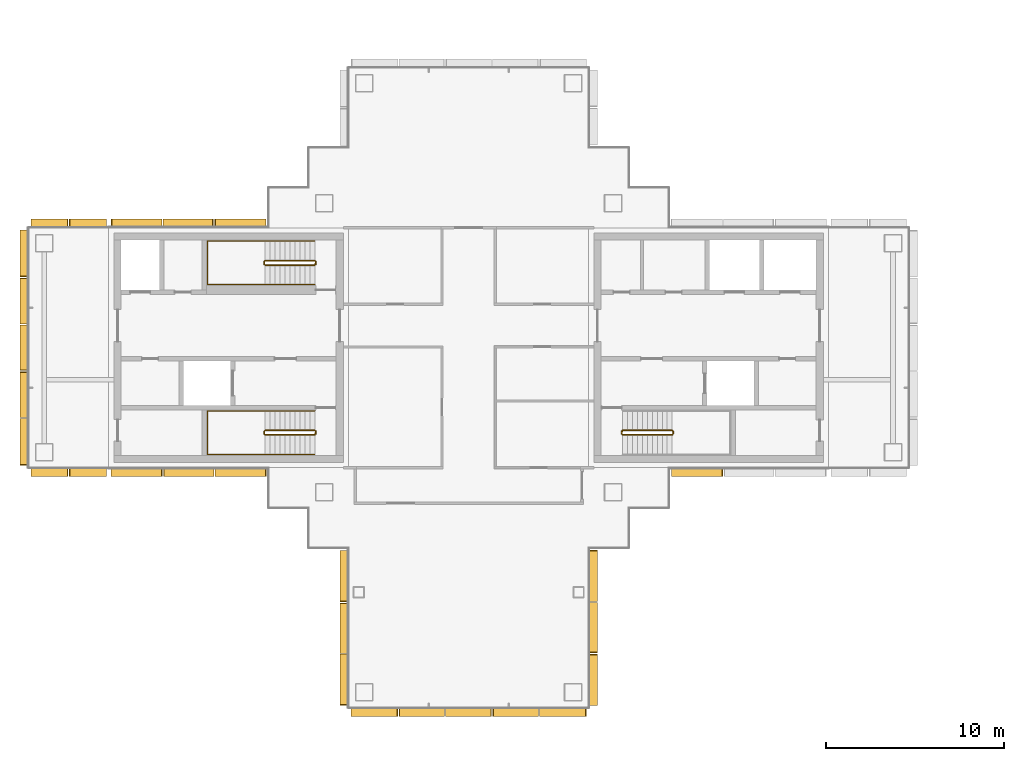
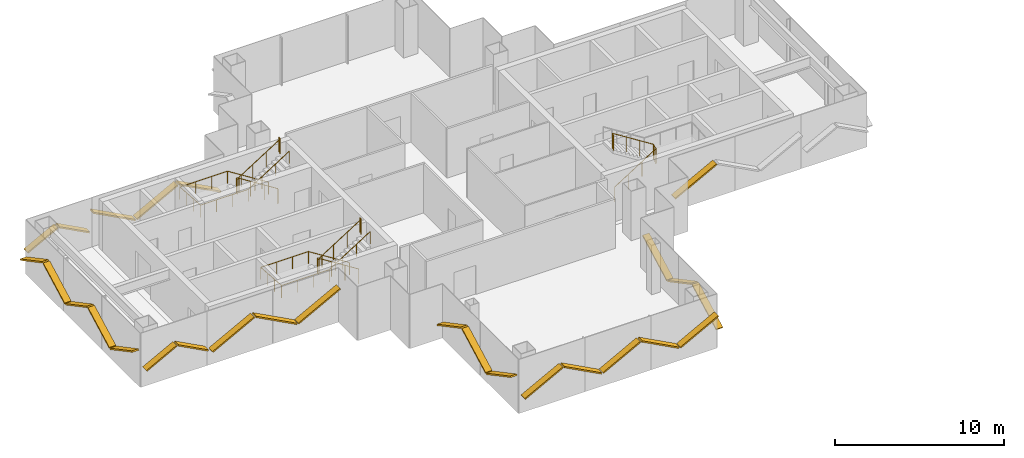
# One storey, part 14 of 17: 27 shading devices, 5 railings.
"""IFC4 building model written with IfcOpenShell, lengths in metres."""

from ifc_helpers import new_model, si_unit, direction, frame, origin, origin_2d, place, context, subcontext, project, spatial, rectangle, circle, extrude, material, material_profile, profile_set, type_object, element, save


model = new_model("IFC4")

# Units and contexts
model_context = context("Model", 3, precision=1e-05, world=origin(), true_north=direction((0.0, 1.0)))
body_context = subcontext(model_context, "Body", "Model", "MODEL_VIEW")
ifc_project = project(units=[si_unit("LENGTHUNIT", "METRE"), si_unit("AREAUNIT", "SQUARE_METRE"), si_unit("VOLUMEUNIT", "CUBIC_METRE"), si_unit("PLANEANGLEUNIT", "RADIAN"), si_unit("MASSUNIT", "GRAM", prefix="KILO")], contexts=[model_context])

# Site, building, storey
site_placement = place(None, origin())
site = spatial("IfcSite", under=ifc_project, at=site_placement, CompositionType="ELEMENT")
building_placement = place(site_placement, origin())
building = spatial("IfcBuilding", under=site, at=building_placement, Name="Shamsa Quay Exchange Towers", CompositionType="ELEMENT")
storey_placement = place(building_placement, frame((0.0, 0.0, 194.39990234375)))
storey = spatial("IfcBuildingStorey", under=building, at=storey_placement, Name="L46", CompositionType="ELEMENT", Elevation=194.39990234375)

# Shading devices
ifc_material_1 = material(Name="Aluminium EN AW-6063 T6, black anodised", Category="aluminium")
ifc_material_profile = material_profile(ifc_material_1, rectangle(XDim=0.449951171875, YDim=0.10009765625, at=origin_2d()), Name="FIN450x100")
ifc_profile_set = profile_set([ifc_material_profile], Name="Aluminium EN AW-6063 T6, black anodised")
shading_device_type = type_object("IfcShadingDeviceType", Name="FIN 450x100 BLACK ALUMINIUM", PredefinedType="USERDEFINED", material=ifc_profile_set)
shading_device_1_placement = place(storey_placement, frame((-40.764892578125, -11.43798828125, 0.845703125), z_axis=(0.0, -0.882932697482, 0.469499575843), x_axis=(1.0, 0.0, 0.0)))
element("IfcShadingDevice", 1, at=shading_device_1_placement, inside=storey, type_object=shading_device_type, Name="FIN T1 chevron rib", ObjectType="FIN", PredefinedType="USERDEFINED", context=body_context, shape_type="SweptSolid", body=[
    extrude(rectangle(XDim=0.449951171875, YDim=0.10009765625, at=origin_2d()), origin(), (0.0, 0.0, 1.0), 3.213623046875),
])
shading_device_2_placement = place(storey_placement, frame((-40.764892578125, -14.375244140625, 2.341064453125), z_axis=(0.0, -0.882964473393, -0.469439813742), x_axis=(1.0, 0.0, 0.0)))
element("IfcShadingDevice", 2, at=shading_device_2_placement, inside=storey, type_object=shading_device_type, Name="FIN T1 chevron rib", ObjectType="FIN", PredefinedType="USERDEFINED", context=body_context, shape_type="SweptSolid", body=[
    extrude(rectangle(XDim=0.449951171875, YDim=0.10009765625, at=origin_2d()), origin(), (0.0, 0.0, 1.0), 3.15673828125),
])
shading_device_3_placement = place(storey_placement, frame((-40.764892578125, -17.2626953125, 0.845703125), z_axis=(0.0, -0.882932697482, 0.469499575843), x_axis=(1.0, 0.0, 0.0)))
element("IfcShadingDevice", 3, at=shading_device_3_placement, inside=storey, type_object=shading_device_type, Name="FIN T1 chevron rib", ObjectType="FIN", PredefinedType="USERDEFINED", context=body_context, shape_type="SweptSolid", body=[
    extrude(rectangle(XDim=0.449951171875, YDim=0.10009765625, at=origin_2d()), origin(), (0.0, 0.0, 1.0), 3.213623046875),
])
shading_device_4_placement = place(storey_placement, frame((-40.35009765625, -20.514892578125, 0.91162109375), z_axis=(0.882978825911, 0.0, 0.469412817244), x_axis=(0.0, 1.0, 0.0)))
element("IfcShadingDevice", 4, at=shading_device_4_placement, inside=storey, type_object=shading_device_type, Name="FIN T1 chevron rib", ObjectType="FIN", PredefinedType="USERDEFINED", context=body_context, shape_type="SweptSolid", body=[
    extrude(rectangle(XDim=0.449951171875, YDim=0.10009765625, at=origin_2d()), origin(), (0.0, 0.0, 1.0), 2.933349609375),
])
shading_device_5_placement = place(storey_placement, frame((-37.659912109375, -20.514892578125, 2.275390625), z_axis=(0.882925540975, 0.0, -0.469513033997), x_axis=(0.0, 1.0, 0.0)))
element("IfcShadingDevice", 5, at=shading_device_5_placement, inside=storey, type_object=shading_device_type, Name="FIN T1 chevron rib", ObjectType="FIN", PredefinedType="USERDEFINED", context=body_context, shape_type="SweptSolid", body=[
    extrude(rectangle(XDim=0.449951171875, YDim=0.10009765625, at=origin_2d()), origin(), (0.0, 0.0, 1.0), 2.87646484375),
])
shading_device_6_placement = place(storey_placement, frame((-35.02001953125, -20.514892578125, 0.9248046875), z_axis=(0.882944248312, 0.0, 0.469477852909), x_axis=(0.0, 1.0, 0.0)))
element("IfcShadingDevice", 6, at=shading_device_6_placement, inside=storey, type_object=shading_device_type, Name="FIN T1 chevron rib", ObjectType="FIN", PredefinedType="USERDEFINED", context=body_context, shape_type="SweptSolid", body=[
    extrude(rectangle(XDim=0.449951171875, YDim=0.10009765625, at=origin_2d()), origin(), (0.0, 0.0, 1.0), 2.876708984375),
])
shading_device_7_placement = place(storey_placement, frame((-32.3798828125, -20.514892578125, 2.275390625), z_axis=(0.882925540975, 0.0, -0.469513033997), x_axis=(0.0, 1.0, 0.0)))
element("IfcShadingDevice", 7, at=shading_device_7_placement, inside=storey, type_object=shading_device_type, Name="FIN T1 chevron rib", ObjectType="FIN", PredefinedType="USERDEFINED", context=body_context, shape_type="SweptSolid", body=[
    extrude(rectangle(XDim=0.449951171875, YDim=0.10009765625, at=origin_2d()), origin(), (0.0, 0.0, 1.0), 2.87646484375),
])
shading_device_8_placement = place(storey_placement, frame((-29.739990234375, -20.514892578125, 0.91162109375), z_axis=(0.882978825911, 0.0, 0.469412817244), x_axis=(0.0, 1.0, 0.0)))
element("IfcShadingDevice", 8, at=shading_device_8_placement, inside=storey, type_object=shading_device_type, Name="FIN T1 chevron rib", ObjectType="FIN", PredefinedType="USERDEFINED", context=body_context, shape_type="SweptSolid", body=[
    extrude(rectangle(XDim=0.449951171875, YDim=0.10009765625, at=origin_2d()), origin(), (0.0, 0.0, 1.0), 2.933349609375),
])
shading_device_9_placement = place(storey_placement, frame((-26.735107421875, -20.10009765625, 0.842529296875), z_axis=(0.0, 0.882984458164, 0.469402222663), x_axis=(-1.0, 0.0, 0.0)))
element("IfcShadingDevice", 9, at=shading_device_9_placement, inside=storey, type_object=shading_device_type, Name="FIN T1 chevron rib", ObjectType="FIN", PredefinedType="USERDEFINED", context=body_context, shape_type="SweptSolid", body=[
    extrude(rectangle(XDim=0.449951171875, YDim=0.10009765625, at=origin_2d()), origin(), (0.0, 0.0, 1.0), 3.227783203125),
])
shading_device_10_placement = place(storey_placement, frame((-26.735107421875, -17.14990234375, 2.344482421875), z_axis=(0.0, 0.882936223509, -0.469492944799), x_axis=(-1.0, 0.0, 0.0)))
element("IfcShadingDevice", 10, at=shading_device_10_placement, inside=storey, type_object=shading_device_type, Name="FIN T1 chevron rib", ObjectType="FIN", PredefinedType="USERDEFINED", context=body_context, shape_type="SweptSolid", body=[
    extrude(rectangle(XDim=0.449951171875, YDim=0.10009765625, at=origin_2d()), origin(), (0.0, 0.0, 1.0), 3.1708984375),
])
shading_device_11_placement = place(storey_placement, frame((-26.735107421875, -14.25, 0.842529296875), z_axis=(0.0, 0.882984458164, 0.469402222663), x_axis=(-1.0, 0.0, 0.0)))
element("IfcShadingDevice", 11, at=shading_device_11_placement, inside=storey, type_object=shading_device_type, Name="FIN T1 chevron rib", ObjectType="FIN", PredefinedType="USERDEFINED", context=body_context, shape_type="SweptSolid", body=[
    extrude(rectangle(XDim=0.449951171875, YDim=0.10009765625, at=origin_2d()), origin(), (0.0, 0.0, 1.0), 3.227783203125),
])
for number, where, z_axis, x_axis, name in (
    (12, (-22.31201171875, -7.01904296875, 0.845703125), (0.882932697482, 0.0, 0.469499575843), (0.0, 1.0, 0.0), "FIN T1 chevron rib"),
    (13, (-45.18798828125, 7.01904296875, 0.845703125), (-0.882932697482, 0.0, 0.469499575843), (0.0, -1.0, 0.0), "FIN T1 chevron rib"),
):
    element("IfcShadingDevice", number, at=place(storey_placement, frame(where, z_axis=z_axis, x_axis=x_axis)), inside=storey, type_object=shading_device_type, Name=name, ObjectType="FIN", PredefinedType="USERDEFINED", context=body_context, shape_type="SweptSolid", body=[
        extrude(rectangle(XDim=0.449951171875, YDim=0.10009765625, at=origin_2d()), origin(), (0.0, 0.0, 1.0), 3.213623046875),
    ])
shading_device_12_placement = place(storey_placement, frame((-48.125244140625, 7.01904296875, 2.341064453125), z_axis=(-0.882964473393, 0.0, -0.469439813742), x_axis=(0.0, -1.0, 0.0)))
element("IfcShadingDevice", 14, at=shading_device_12_placement, inside=storey, type_object=shading_device_type, Name="FIN T1 chevron rib", ObjectType="FIN", PredefinedType="USERDEFINED", context=body_context, shape_type="SweptSolid", body=[
    extrude(rectangle(XDim=0.449951171875, YDim=0.10009765625, at=origin_2d()), origin(), (0.0, 0.0, 1.0), 3.15673828125),
])
shading_device_13_placement = place(storey_placement, frame((-51.0126953125, 7.01904296875, 0.845703125), z_axis=(-0.882932697482, 0.0, 0.469499575843), x_axis=(0.0, -1.0, 0.0)))
element("IfcShadingDevice", 15, at=shading_device_13_placement, inside=storey, type_object=shading_device_type, Name="FIN T1 chevron rib", ObjectType="FIN", PredefinedType="USERDEFINED", context=body_context, shape_type="SweptSolid", body=[
    extrude(rectangle(XDim=0.449951171875, YDim=0.10009765625, at=origin_2d()), origin(), (0.0, 0.0, 1.0), 3.213623046875),
])
for number, where, z_axis, x_axis, name in (
    (16, (-54.14990234375, 7.014892578125, 1.05517578125), (-0.882980896466, 0.0, 0.469408922451), (0.0, -1.0, 0.0), "FIN T1 chevron rib"),
    (17, (-56.300048828125, 7.014892578125, 2.14501953125), (-0.882980896466, 0.0, -0.469408922451), (0.0, -1.0, 0.0), "FIN T1 chevron rib"),
):
    element("IfcShadingDevice", number, at=place(storey_placement, frame(where, z_axis=z_axis, x_axis=x_axis)), inside=storey, type_object=shading_device_type, Name=name, ObjectType="FIN", PredefinedType="USERDEFINED", context=body_context, shape_type="SweptSolid", body=[
        extrude(rectangle(XDim=0.449951171875, YDim=0.10009765625, at=origin_2d()), origin(), (0.0, 0.0, 1.0), 2.32177734375),
    ])
shading_device_14_placement = place(storey_placement, frame((-58.764892578125, 6.60009765625, 0.91162109375), z_axis=(0.0, -0.882978825911, 0.469412817244), x_axis=(1.0, 0.0, 0.0)))
element("IfcShadingDevice", 18, at=shading_device_14_placement, inside=storey, type_object=shading_device_type, Name="FIN T1 chevron rib", ObjectType="FIN", PredefinedType="USERDEFINED", context=body_context, shape_type="SweptSolid", body=[
    extrude(rectangle(XDim=0.449951171875, YDim=0.10009765625, at=origin_2d()), origin(), (0.0, 0.0, 1.0), 2.933349609375),
])
shading_device_15_placement = place(storey_placement, frame((-58.764892578125, 3.909912109375, 2.275390625), z_axis=(0.0, -0.882925540975, -0.469513033997), x_axis=(1.0, 0.0, 0.0)))
element("IfcShadingDevice", 19, at=shading_device_15_placement, inside=storey, type_object=shading_device_type, Name="FIN T1 chevron rib", ObjectType="FIN", PredefinedType="USERDEFINED", context=body_context, shape_type="SweptSolid", body=[
    extrude(rectangle(XDim=0.449951171875, YDim=0.10009765625, at=origin_2d()), origin(), (0.0, 0.0, 1.0), 2.87646484375),
])
shading_device_16_placement = place(storey_placement, frame((-58.764892578125, 1.27001953125, 0.9248046875), z_axis=(0.0, -0.882944248312, 0.469477852909), x_axis=(1.0, 0.0, 0.0)))
element("IfcShadingDevice", 20, at=shading_device_16_placement, inside=storey, type_object=shading_device_type, Name="FIN T1 chevron rib", ObjectType="FIN", PredefinedType="USERDEFINED", context=body_context, shape_type="SweptSolid", body=[
    extrude(rectangle(XDim=0.449951171875, YDim=0.10009765625, at=origin_2d()), origin(), (0.0, 0.0, 1.0), 2.876708984375),
])
shading_device_17_placement = place(storey_placement, frame((-58.764892578125, -1.3701171875, 2.275390625), z_axis=(0.0, -0.882925540975, -0.469513033997), x_axis=(1.0, 0.0, 0.0)))
element("IfcShadingDevice", 21, at=shading_device_17_placement, inside=storey, type_object=shading_device_type, Name="FIN T1 chevron rib", ObjectType="FIN", PredefinedType="USERDEFINED", context=body_context, shape_type="SweptSolid", body=[
    extrude(rectangle(XDim=0.449951171875, YDim=0.10009765625, at=origin_2d()), origin(), (0.0, 0.0, 1.0), 2.87646484375),
])
shading_device_18_placement = place(storey_placement, frame((-58.764892578125, -4.010009765625, 0.91162109375), z_axis=(0.0, -0.882978825911, 0.469412817244), x_axis=(1.0, 0.0, 0.0)))
element("IfcShadingDevice", 22, at=shading_device_18_placement, inside=storey, type_object=shading_device_type, Name="FIN T1 chevron rib", ObjectType="FIN", PredefinedType="USERDEFINED", context=body_context, shape_type="SweptSolid", body=[
    extrude(rectangle(XDim=0.449951171875, YDim=0.10009765625, at=origin_2d()), origin(), (0.0, 0.0, 1.0), 2.933349609375),
])
for number, where, z_axis, x_axis, name in (
    (23, (-58.35009765625, -7.014892578125, 1.05517578125), (0.882980896466, 0.0, 0.469408922451), (0.0, 1.0, 0.0), "FIN T1 chevron rib"),
    (24, (-56.199951171875, -7.014892578125, 2.14501953125), (0.882980896466, 0.0, -0.469408922451), (0.0, 1.0, 0.0), "FIN T1 chevron rib"),
):
    element("IfcShadingDevice", number, at=place(storey_placement, frame(where, z_axis=z_axis, x_axis=x_axis)), inside=storey, type_object=shading_device_type, Name=name, ObjectType="FIN", PredefinedType="USERDEFINED", context=body_context, shape_type="SweptSolid", body=[
        extrude(rectangle(XDim=0.449951171875, YDim=0.10009765625, at=origin_2d()), origin(), (0.0, 0.0, 1.0), 2.32177734375),
    ])
shading_device_19_placement = place(storey_placement, frame((-53.85009765625, -7.01904296875, 0.842529296875), z_axis=(0.882984458164, 0.0, 0.469402222663), x_axis=(0.0, 1.0, 0.0)))
element("IfcShadingDevice", 25, at=shading_device_19_placement, inside=storey, type_object=shading_device_type, Name="FIN T1 chevron rib", ObjectType="FIN", PredefinedType="USERDEFINED", context=body_context, shape_type="SweptSolid", body=[
    extrude(rectangle(XDim=0.449951171875, YDim=0.10009765625, at=origin_2d()), origin(), (0.0, 0.0, 1.0), 3.227783203125),
])
shading_device_20_placement = place(storey_placement, frame((-50.89990234375, -7.01904296875, 2.344482421875), z_axis=(0.882936223509, 0.0, -0.469492944799), x_axis=(0.0, 1.0, 0.0)))
element("IfcShadingDevice", 26, at=shading_device_20_placement, inside=storey, type_object=shading_device_type, Name="FIN T1 chevron rib", ObjectType="FIN", PredefinedType="USERDEFINED", context=body_context, shape_type="SweptSolid", body=[
    extrude(rectangle(XDim=0.449951171875, YDim=0.10009765625, at=origin_2d()), origin(), (0.0, 0.0, 1.0), 3.1708984375),
])
shading_device_21_placement = place(storey_placement, frame((-48.0, -7.01904296875, 0.842529296875), z_axis=(0.882984458164, 0.0, 0.469402222663), x_axis=(0.0, 1.0, 0.0)))
element("IfcShadingDevice", 27, at=shading_device_21_placement, inside=storey, type_object=shading_device_type, Name="FIN T1 chevron rib", ObjectType="FIN", PredefinedType="USERDEFINED", context=body_context, shape_type="SweptSolid", body=[
    extrude(rectangle(XDim=0.449951171875, YDim=0.10009765625, at=origin_2d()), origin(), (0.0, 0.0, 1.0), 3.227783203125),
])

# Railings
ifc_material_2 = material(Name="Stainless steel", Category="steel")
railing_type_1 = type_object("IfcRailingType", Name="STAIR GUARD 1100", PredefinedType="GUARDRAIL", material=ifc_material_2)
railing_1_placement = place(storey_placement, frame((-25.10009765625, -4.89990234375, 0.177490234375)))
element("IfcRailing", 28, at=railing_1_placement, inside=storey, type_object=railing_type_1, Name="L46 ST1 stair guard 1", PredefinedType="GUARDRAIL", context=body_context, shape_type="SweptSolid", body=[
    extrude(circle(Radius=0.02392578125, at=origin_2d()), frame((0.0, 0.0, 1.076171875), z_axis=(0.844908973607, 0.0, 0.534910110503), x_axis=(0.0, 1.0, 0.0)), (0.0, 0.0, 1.0), 3.31396484375),
    extrude(circle(Radius=0.02392578125, at=origin_2d()), frame((2.800048828125, 0.0, 2.8486328125), z_axis=(0.708833529934, 0.705375805398, 0.0), x_axis=(-0.705375805398, 0.708833529934, 0.0)), (0.0, 0.0, 1.0), 0.070556640625),
    extrude(circle(Radius=0.02392578125, at=origin_2d()), frame((2.85009765625, 0.0498046875, 2.8486328125), z_axis=(0.0, 1.0, 0.0), x_axis=(-1.0, 0.0, 0.0)), (0.0, 0.0, 1.0), 0.150146484375),
    extrude(circle(Radius=0.02392578125, at=origin_2d()), frame((2.85009765625, 0.199951171875, 2.8486328125), z_axis=(-0.262233686654, 0.262233686654, 0.928691007369), x_axis=(-0.707106781187, -0.707106781187, 0.0)), (0.0, 0.0, 1.0), 0.19091796875),
    extrude(circle(Radius=0.02392578125, at=origin_2d()), frame((2.800048828125, 0.25, 3.02587890625), z_axis=(-0.844908973607, 0.0, 0.534910110503), x_axis=(0.0, -1.0, 0.0)), (0.0, 0.0, 1.0), 3.31396484375),
    extrude(circle(Radius=0.02392578125, at=origin_2d()), frame((0.0, 0.25, 4.798828125), z_axis=(-0.24142163986, -0.970420317083, 0.0), x_axis=(0.970420317083, -0.24142163986, 0.0)), (0.0, 0.0, 1.0), 0.206298828125),
    extrude(circle(Radius=0.02392578125, at=origin_2d()), frame((-0.0498046875, 0.0498046875, 4.798828125), z_axis=(0.0, 1.0, 0.0), x_axis=(-1.0, 0.0, 0.0)), (0.0, 0.0, 1.0), 0.150146484375),
    extrude(circle(Radius=0.02099609375, at=origin_2d()), origin(), (0.0, 0.0, 1.0), 1.052001953125),
    extrude(circle(Radius=0.02099609375, at=origin_2d()), frame((0.933349609375, 0.0, 0.5908203125)), (0.0, 0.0, 1.0), 1.052001953125),
    extrude(circle(Radius=0.02099609375, at=origin_2d()), frame((1.86669921875, 0.0, 1.181884765625)), (0.0, 0.0, 1.0), 1.052001953125),
    extrude(circle(Radius=0.02099609375, at=origin_2d()), frame((2.800048828125, 0.0, 1.772705078125)), (0.0, 0.0, 1.0), 1.052001953125),
    extrude(circle(Radius=0.02099609375, at=origin_2d()), frame((2.85009765625, 0.0498046875, 1.772705078125)), (0.0, 0.0, 1.0), 1.052001953125),
    extrude(circle(Radius=0.02099609375, at=origin_2d()), frame((2.85009765625, 0.199951171875, 1.772705078125)), (0.0, 0.0, 1.0), 1.052001953125),
    extrude(circle(Radius=0.02099609375, at=origin_2d()), frame((2.800048828125, 0.25, 1.949951171875)), (0.0, 0.0, 1.0), 1.052001953125),
    extrude(circle(Radius=0.02099609375, at=origin_2d()), frame((1.86669921875, 0.25, 2.540771484375)), (0.0, 0.0, 1.0), 1.052001953125),
    extrude(circle(Radius=0.02099609375, at=origin_2d()), frame((0.933349609375, 0.25, 3.1318359375)), (0.0, 0.0, 1.0), 1.052001953125),
    extrude(circle(Radius=0.02099609375, at=origin_2d()), frame((0.0, 0.25, 3.72265625)), (0.0, 0.0, 1.0), 1.052001953125),
    extrude(circle(Radius=0.02099609375, at=origin_2d()), frame((-0.0498046875, 0.0498046875, 3.72265625)), (0.0, 0.0, 1.0), 1.052001953125),
    extrude(circle(Radius=0.02099609375, at=origin_2d()), frame((-0.0498046875, 0.199951171875, 3.72265625)), (0.0, 0.0, 1.0), 1.052001953125),
])
railing_2_placement = place(storey_placement, frame((-42.39990234375, -4.64990234375, 0.177490234375)))
element("IfcRailing", 29, at=railing_2_placement, inside=storey, type_object=railing_type_1, Name="L46 ST2 stair guard 1", PredefinedType="GUARDRAIL", context=body_context, shape_type="SweptSolid", body=[
    extrude(circle(Radius=0.02392578125, at=origin_2d()), frame((0.0, 0.0, 1.076171875), z_axis=(-0.844908973607, 0.0, 0.534910110503), x_axis=(0.0, -1.0, 0.0)), (0.0, 0.0, 1.0), 3.31396484375),
    extrude(circle(Radius=0.02392578125, at=origin_2d()), frame((-2.800048828125, 0.0, 2.8486328125), z_axis=(-0.707106781187, -0.707106781187, 0.0), x_axis=(0.707106781187, -0.707106781187, 0.0)), (0.0, 0.0, 1.0), 0.07080078125),
    extrude(circle(Radius=0.02392578125, at=origin_2d()), frame((-2.85009765625, -0.050048828125, 2.8486328125), z_axis=(0.0, -1.0, 0.0), x_axis=(1.0, 0.0, 0.0)), (0.0, 0.0, 1.0), 0.150146484375),
    extrude(circle(Radius=0.02392578125, at=origin_2d()), frame((-2.85009765625, -0.2001953125, 2.8486328125), z_axis=(0.262321481514, -0.261041864531, 0.929001929653), x_axis=(0.705375805398, 0.708833529934, 0.0)), (0.0, 0.0, 1.0), 0.190673828125),
    extrude(circle(Radius=0.02392578125, at=origin_2d()), frame((-2.800048828125, -0.25, 3.02587890625), z_axis=(0.844908973607, 0.0, 0.534910110503), x_axis=(0.0, 1.0, 0.0)), (0.0, 0.0, 1.0), 3.31396484375),
    extrude(circle(Radius=0.02392578125, at=origin_2d()), frame((0.0, -0.25, 4.798828125), z_axis=(0.241699205484, 0.970351222016, 0.0), x_axis=(-0.970351222016, 0.241699205484, 0.0)), (0.0, 0.0, 1.0), 0.2060546875),
    extrude(circle(Radius=0.02392578125, at=origin_2d()), frame((0.0498046875, -0.050048828125, 4.798828125), z_axis=(0.0, -1.0, 0.0), x_axis=(1.0, 0.0, 0.0)), (0.0, 0.0, 1.0), 0.150146484375),
    extrude(circle(Radius=0.02099609375, at=origin_2d()), origin(), (0.0, 0.0, 1.0), 1.052001953125),
    extrude(circle(Radius=0.02099609375, at=origin_2d()), frame((-0.933349609375, 0.0, 0.5908203125)), (0.0, 0.0, 1.0), 1.052001953125),
    extrude(circle(Radius=0.02099609375, at=origin_2d()), frame((-1.86669921875, 0.0, 1.181884765625)), (0.0, 0.0, 1.0), 1.052001953125),
    extrude(circle(Radius=0.02099609375, at=origin_2d()), frame((-2.800048828125, 0.0, 1.772705078125)), (0.0, 0.0, 1.0), 1.052001953125),
    extrude(circle(Radius=0.02099609375, at=origin_2d()), frame((-2.85009765625, -0.050048828125, 1.772705078125)), (0.0, 0.0, 1.0), 1.052001953125),
    extrude(circle(Radius=0.02099609375, at=origin_2d()), frame((-2.85009765625, -0.2001953125, 1.772705078125)), (0.0, 0.0, 1.0), 1.052001953125),
    extrude(circle(Radius=0.02099609375, at=origin_2d()), frame((-2.800048828125, -0.25, 1.949951171875)), (0.0, 0.0, 1.0), 1.052001953125),
    extrude(circle(Radius=0.02099609375, at=origin_2d()), frame((-1.86669921875, -0.25, 2.540771484375)), (0.0, 0.0, 1.0), 1.052001953125),
    extrude(circle(Radius=0.02099609375, at=origin_2d()), frame((-0.933349609375, -0.25, 3.1318359375)), (0.0, 0.0, 1.0), 1.052001953125),
    extrude(circle(Radius=0.02099609375, at=origin_2d()), frame((0.0, -0.25, 3.72265625)), (0.0, 0.0, 1.0), 1.052001953125),
    extrude(circle(Radius=0.02099609375, at=origin_2d()), frame((0.0498046875, -0.050048828125, 3.72265625)), (0.0, 0.0, 1.0), 1.052001953125),
    extrude(circle(Radius=0.02099609375, at=origin_2d()), frame((0.0498046875, -0.2001953125, 3.72265625)), (0.0, 0.0, 1.0), 1.052001953125),
])
railing_3_placement = place(storey_placement, frame((-42.39990234375, 4.89990234375, 0.177490234375)))
element("IfcRailing", 30, at=railing_3_placement, inside=storey, type_object=railing_type_1, Name="L46 ST3 stair guard 1", PredefinedType="GUARDRAIL", context=body_context, shape_type="SweptSolid", body=[
    extrude(circle(Radius=0.02392578125, at=origin_2d()), frame((0.0, 0.0, 1.076171875), z_axis=(-0.844908973607, 0.0, 0.534910110503), x_axis=(0.0, -1.0, 0.0)), (0.0, 0.0, 1.0), 3.31396484375),
    extrude(circle(Radius=0.02392578125, at=origin_2d()), frame((-2.800048828125, 0.0, 2.8486328125), z_axis=(-0.708833529934, -0.705375805398, 0.0), x_axis=(0.705375805398, -0.708833529934, 0.0)), (0.0, 0.0, 1.0), 0.070556640625),
    extrude(circle(Radius=0.02392578125, at=origin_2d()), frame((-2.85009765625, -0.0498046875, 2.8486328125), z_axis=(0.0, -1.0, 0.0), x_axis=(1.0, 0.0, 0.0)), (0.0, 0.0, 1.0), 0.150146484375),
    extrude(circle(Radius=0.02392578125, at=origin_2d()), frame((-2.85009765625, -0.199951171875, 2.8486328125), z_axis=(0.262233686654, -0.262233686654, 0.928691007369), x_axis=(0.707106781187, 0.707106781187, 0.0)), (0.0, 0.0, 1.0), 0.19091796875),
    extrude(circle(Radius=0.02392578125, at=origin_2d()), frame((-2.800048828125, -0.25, 3.02587890625), z_axis=(0.844908973607, 0.0, 0.534910110503), x_axis=(0.0, 1.0, 0.0)), (0.0, 0.0, 1.0), 3.31396484375),
    extrude(circle(Radius=0.02392578125, at=origin_2d()), frame((0.0, -0.25, 4.798828125), z_axis=(0.24142163986, 0.970420317083, 0.0), x_axis=(-0.970420317083, 0.24142163986, 0.0)), (0.0, 0.0, 1.0), 0.206298828125),
    extrude(circle(Radius=0.02392578125, at=origin_2d()), frame((0.0498046875, -0.0498046875, 4.798828125), z_axis=(0.0, -1.0, 0.0), x_axis=(1.0, 0.0, 0.0)), (0.0, 0.0, 1.0), 0.150146484375),
    extrude(circle(Radius=0.02099609375, at=origin_2d()), origin(), (0.0, 0.0, 1.0), 1.052001953125),
    extrude(circle(Radius=0.02099609375, at=origin_2d()), frame((-0.933349609375, 0.0, 0.5908203125)), (0.0, 0.0, 1.0), 1.052001953125),
    extrude(circle(Radius=0.02099609375, at=origin_2d()), frame((-1.86669921875, 0.0, 1.181884765625)), (0.0, 0.0, 1.0), 1.052001953125),
    extrude(circle(Radius=0.02099609375, at=origin_2d()), frame((-2.800048828125, 0.0, 1.772705078125)), (0.0, 0.0, 1.0), 1.052001953125),
    extrude(circle(Radius=0.02099609375, at=origin_2d()), frame((-2.85009765625, -0.0498046875, 1.772705078125)), (0.0, 0.0, 1.0), 1.052001953125),
    extrude(circle(Radius=0.02099609375, at=origin_2d()), frame((-2.85009765625, -0.199951171875, 1.772705078125)), (0.0, 0.0, 1.0), 1.052001953125),
    extrude(circle(Radius=0.02099609375, at=origin_2d()), frame((-2.800048828125, -0.25, 1.949951171875)), (0.0, 0.0, 1.0), 1.052001953125),
    extrude(circle(Radius=0.02099609375, at=origin_2d()), frame((-1.86669921875, -0.25, 2.540771484375)), (0.0, 0.0, 1.0), 1.052001953125),
    extrude(circle(Radius=0.02099609375, at=origin_2d()), frame((-0.933349609375, -0.25, 3.1318359375)), (0.0, 0.0, 1.0), 1.052001953125),
    extrude(circle(Radius=0.02099609375, at=origin_2d()), frame((0.0, -0.25, 3.72265625)), (0.0, 0.0, 1.0), 1.052001953125),
    extrude(circle(Radius=0.02099609375, at=origin_2d()), frame((0.0498046875, -0.0498046875, 3.72265625)), (0.0, 0.0, 1.0), 1.052001953125),
    extrude(circle(Radius=0.02099609375, at=origin_2d()), frame((0.0498046875, -0.199951171875, 3.72265625)), (0.0, 0.0, 1.0), 1.052001953125),
])
railing_type_2 = type_object("IfcRailingType", Name="STAIR HANDRAIL 900", PredefinedType="HANDRAIL", material=ifc_material_2)
railing_4_placement = place(storey_placement, frame((-42.39990234375, -3.550048828125, 0.177490234375)))
element("IfcRailing", 31, at=railing_4_placement, inside=storey, type_object=railing_type_2, Name="L46 ST2 stair handrail 1", PredefinedType="HANDRAIL", context=body_context, shape_type="SweptSolid", body=[
    extrude(circle(Radius=0.02392578125, at=origin_2d()), frame((0.0, 0.0, 0.8759765625), z_axis=(-0.844908973607, 0.0, 0.534910110503), x_axis=(0.0, -1.0, 0.0)), (0.0, 0.0, 1.0), 3.31396484375),
    extrude(circle(Radius=0.02392578125, at=origin_2d()), frame((-2.800048828125, 0.0, 2.6484375), z_axis=(-1.0, 0.0, 0.0), x_axis=(0.0, -1.0, 0.0)), (0.0, 0.0, 1.0), 3.25),
    extrude(circle(Radius=0.02392578125, at=origin_2d()), frame((-6.050048828125, 0.0, 2.6484375), z_axis=(0.0, -0.997393199914, 0.07215819264), x_axis=(1.0, 0.0, 0.0)), (0.0, 0.0, 1.0), 2.456298828125),
    extrude(circle(Radius=0.02392578125, at=origin_2d()), frame((-6.050048828125, -2.449951171875, 2.82568359375), z_axis=(1.0, 0.0, 0.0), x_axis=(0.0, 1.0, 0.0)), (0.0, 0.0, 1.0), 3.25),
    extrude(circle(Radius=0.02392578125, at=origin_2d()), frame((-2.800048828125, -2.449951171875, 2.82568359375), z_axis=(0.844908973607, 0.0, 0.534910110503), x_axis=(0.0, 1.0, 0.0)), (0.0, 0.0, 1.0), 3.31396484375),
    extrude(circle(Radius=0.02099609375, at=origin_2d()), origin(), (0.0, 0.0, 1.0), 0.851806640625),
    extrude(circle(Radius=0.02099609375, at=origin_2d()), frame((-0.933349609375, 0.0, 0.5908203125)), (0.0, 0.0, 1.0), 0.851806640625),
    extrude(circle(Radius=0.02099609375, at=origin_2d()), frame((-1.86669921875, 0.0, 1.181884765625)), (0.0, 0.0, 1.0), 0.851806640625),
    extrude(circle(Radius=0.02099609375, at=origin_2d()), frame((-2.800048828125, 0.0, 1.772705078125)), (0.0, 0.0, 1.0), 0.851806640625),
    extrude(circle(Radius=0.02099609375, at=origin_2d()), frame((-3.88330078125, 0.0, 1.772705078125)), (0.0, 0.0, 1.0), 0.851806640625),
    extrude(circle(Radius=0.02099609375, at=origin_2d()), frame((-4.966796875, 0.0, 1.772705078125)), (0.0, 0.0, 1.0), 0.851806640625),
    extrude(circle(Radius=0.02099609375, at=origin_2d()), frame((-6.050048828125, 0.0, 1.772705078125)), (0.0, 0.0, 1.0), 0.851806640625),
    extrude(circle(Radius=0.02099609375, at=origin_2d()), frame((-6.050048828125, -0.816650390625, 1.831787109375)), (0.0, 0.0, 1.0), 0.851806640625),
    extrude(circle(Radius=0.02099609375, at=origin_2d()), frame((-6.050048828125, -1.63330078125, 1.890869140625)), (0.0, 0.0, 1.0), 0.851806640625),
    extrude(circle(Radius=0.02099609375, at=origin_2d()), frame((-6.050048828125, -2.449951171875, 1.949951171875)), (0.0, 0.0, 1.0), 0.851806640625),
    extrude(circle(Radius=0.02099609375, at=origin_2d()), frame((-4.966796875, -2.449951171875, 1.949951171875)), (0.0, 0.0, 1.0), 0.851806640625),
    extrude(circle(Radius=0.02099609375, at=origin_2d()), frame((-3.88330078125, -2.449951171875, 1.949951171875)), (0.0, 0.0, 1.0), 0.851806640625),
    extrude(circle(Radius=0.02099609375, at=origin_2d()), frame((-2.800048828125, -2.449951171875, 1.949951171875)), (0.0, 0.0, 1.0), 0.851806640625),
    extrude(circle(Radius=0.02099609375, at=origin_2d()), frame((-1.86669921875, -2.449951171875, 2.540771484375)), (0.0, 0.0, 1.0), 0.851806640625),
    extrude(circle(Radius=0.02099609375, at=origin_2d()), frame((-0.933349609375, -2.449951171875, 3.1318359375)), (0.0, 0.0, 1.0), 0.851806640625),
    extrude(circle(Radius=0.02099609375, at=origin_2d()), frame((0.0, -2.449951171875, 3.72265625)), (0.0, 0.0, 1.0), 0.851806640625),
])
railing_5_placement = place(storey_placement, frame((-42.39990234375, 6.0, 0.177490234375)))
element("IfcRailing", 32, at=railing_5_placement, inside=storey, type_object=railing_type_2, Name="L46 ST3 stair handrail 1", PredefinedType="HANDRAIL", context=body_context, shape_type="SweptSolid", body=[
    extrude(circle(Radius=0.02392578125, at=origin_2d()), frame((0.0, 0.0, 0.8759765625), z_axis=(-0.844908973607, 0.0, 0.534910110503), x_axis=(0.0, -1.0, 0.0)), (0.0, 0.0, 1.0), 3.31396484375),
    extrude(circle(Radius=0.02392578125, at=origin_2d()), frame((-2.800048828125, 0.0, 2.6484375), z_axis=(-1.0, 0.0, 0.0), x_axis=(0.0, -1.0, 0.0)), (0.0, 0.0, 1.0), 3.25),
    extrude(circle(Radius=0.02392578125, at=origin_2d()), frame((-6.050048828125, 0.0, 2.6484375), z_axis=(0.0, -0.997393199914, 0.07215819264), x_axis=(1.0, 0.0, 0.0)), (0.0, 0.0, 1.0), 2.456298828125),
    extrude(circle(Radius=0.02392578125, at=origin_2d()), frame((-6.050048828125, -2.449951171875, 2.82568359375), z_axis=(1.0, 0.0, 0.0), x_axis=(0.0, 1.0, 0.0)), (0.0, 0.0, 1.0), 3.25),
    extrude(circle(Radius=0.02392578125, at=origin_2d()), frame((-2.800048828125, -2.449951171875, 2.82568359375), z_axis=(0.844908973607, 0.0, 0.534910110503), x_axis=(0.0, 1.0, 0.0)), (0.0, 0.0, 1.0), 3.31396484375),
    extrude(circle(Radius=0.02099609375, at=origin_2d()), origin(), (0.0, 0.0, 1.0), 0.851806640625),
    extrude(circle(Radius=0.02099609375, at=origin_2d()), frame((-0.933349609375, 0.0, 0.5908203125)), (0.0, 0.0, 1.0), 0.851806640625),
    extrude(circle(Radius=0.02099609375, at=origin_2d()), frame((-1.86669921875, 0.0, 1.181884765625)), (0.0, 0.0, 1.0), 0.851806640625),
    extrude(circle(Radius=0.02099609375, at=origin_2d()), frame((-2.800048828125, 0.0, 1.772705078125)), (0.0, 0.0, 1.0), 0.851806640625),
    extrude(circle(Radius=0.02099609375, at=origin_2d()), frame((-3.88330078125, 0.0, 1.772705078125)), (0.0, 0.0, 1.0), 0.851806640625),
    extrude(circle(Radius=0.02099609375, at=origin_2d()), frame((-4.966796875, 0.0, 1.772705078125)), (0.0, 0.0, 1.0), 0.851806640625),
    extrude(circle(Radius=0.02099609375, at=origin_2d()), frame((-6.050048828125, 0.0, 1.772705078125)), (0.0, 0.0, 1.0), 0.851806640625),
    extrude(circle(Radius=0.02099609375, at=origin_2d()), frame((-6.050048828125, -0.816650390625, 1.831787109375)), (0.0, 0.0, 1.0), 0.851806640625),
    extrude(circle(Radius=0.02099609375, at=origin_2d()), frame((-6.050048828125, -1.63330078125, 1.890869140625)), (0.0, 0.0, 1.0), 0.851806640625),
    extrude(circle(Radius=0.02099609375, at=origin_2d()), frame((-6.050048828125, -2.449951171875, 1.949951171875)), (0.0, 0.0, 1.0), 0.851806640625),
    extrude(circle(Radius=0.02099609375, at=origin_2d()), frame((-4.966796875, -2.449951171875, 1.949951171875)), (0.0, 0.0, 1.0), 0.851806640625),
    extrude(circle(Radius=0.02099609375, at=origin_2d()), frame((-3.88330078125, -2.449951171875, 1.949951171875)), (0.0, 0.0, 1.0), 0.851806640625),
    extrude(circle(Radius=0.02099609375, at=origin_2d()), frame((-2.800048828125, -2.449951171875, 1.949951171875)), (0.0, 0.0, 1.0), 0.851806640625),
    extrude(circle(Radius=0.02099609375, at=origin_2d()), frame((-1.86669921875, -2.449951171875, 2.540771484375)), (0.0, 0.0, 1.0), 0.851806640625),
    extrude(circle(Radius=0.02099609375, at=origin_2d()), frame((-0.933349609375, -2.449951171875, 3.1318359375)), (0.0, 0.0, 1.0), 0.851806640625),
    extrude(circle(Radius=0.02099609375, at=origin_2d()), frame((0.0, -2.449951171875, 3.72265625)), (0.0, 0.0, 1.0), 0.851806640625),
])

save(model, "model.ifc")
